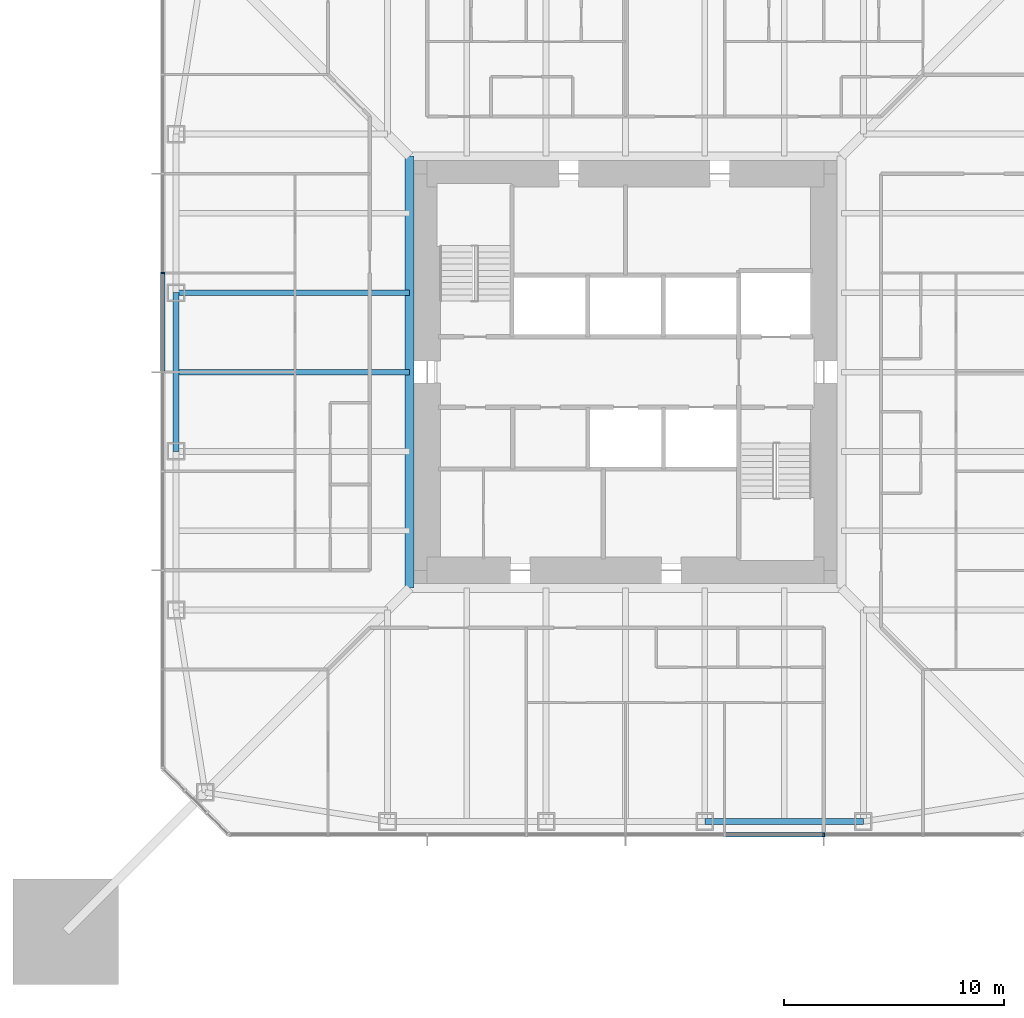
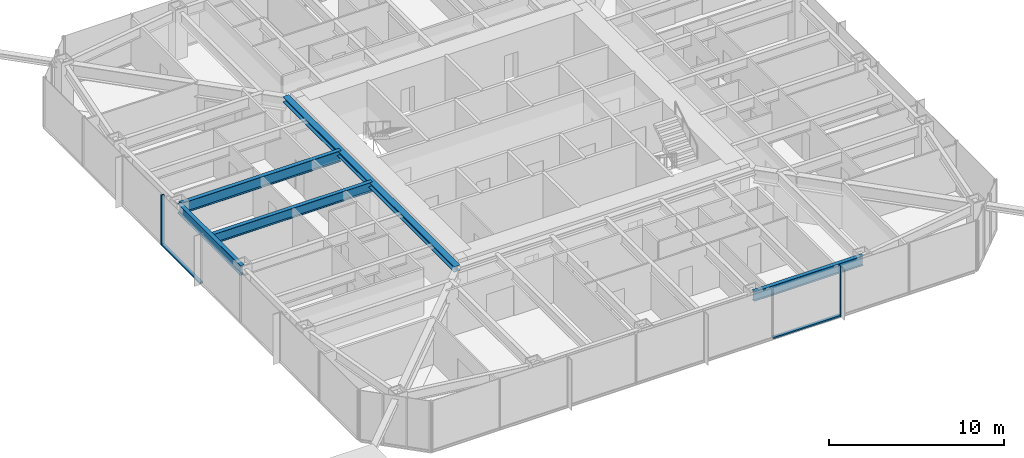
# One storey, part 4 of 25: 5 beams, 4 members, 2 elements without a shape of their own.
"""IFC4 building model written with IfcOpenShell, lengths in metres."""

from ifc_helpers import new_model, si_unit, direction, frame, origin, origin_2d, place, context, subcontext, project, spatial, rectangle, i_section, extrude, material, material_profile, profile_set, type_object, element, aggregate, save


model = new_model("IFC4")

# Units and contexts
model_context = context("Model", 3, precision=1e-05, world=origin(), true_north=direction((0.0, 1.0)))
body_context = subcontext(model_context, "Body", "Model", "MODEL_VIEW")
ifc_project = project(units=[si_unit("LENGTHUNIT", "METRE"), si_unit("AREAUNIT", "SQUARE_METRE"), si_unit("VOLUMEUNIT", "CUBIC_METRE"), si_unit("PLANEANGLEUNIT", "RADIAN"), si_unit("MASSUNIT", "GRAM", prefix="KILO")], contexts=[model_context])

# Site, building, storey
site_placement = place(None, origin())
site = spatial("IfcSite", under=ifc_project, at=site_placement, CompositionType="ELEMENT")
building_placement = place(site_placement, origin())
building = spatial("IfcBuilding", under=site, at=building_placement, Name="Iwan Alto Co-Living Towers", CompositionType="ELEMENT")
storey_placement = place(building_placement, frame((0.0, 0.0, 112.0)))
storey = spatial("IfcBuildingStorey", under=building, at=storey_placement, Name="L30", CompositionType="ELEMENT", Elevation=112.0)

# Curtain wall, member
ifc_material_1 = material(Name="Bronze aluminium unitised frame", Category="aluminium")
curtain_wall_type = type_object("IfcCurtainWallType", Name="CURTAIN WALL CW-A", PredefinedType="NOTDEFINED", material=ifc_material_1)
curtain_wall_1_placement = place(storey_placement, origin())
curtain_wall_1 = element("IfcCurtainWall", 1, at=curtain_wall_1_placement, inside=storey, type_object=curtain_wall_type, Name="T1 curtain wall S L30", PredefinedType="NOTDEFINED")
ifc_material_2 = material(Name="Aluminium 6063-T6 bronze anodised", Category="aluminium")
ifc_material_profile_1 = material_profile(ifc_material_2, rectangle(XDim=0.199951171875, YDim=0.080078125, at=origin_2d()), Name="AL 80X200")
ifc_profile_set_1 = profile_set([ifc_material_profile_1], Name="Aluminium 6063-T6 bronze anodised")
member_type_1 = type_object("IfcMemberType", Name="CW-A MULLION 80X200", PredefinedType="MULLION", material=ifc_profile_set_1)
member_1_placement = place(storey_placement, frame((9.0, -21.0, 0.0), z_axis=(0.0, 0.0, 1.0), x_axis=(0.0, 1.0, 0.0)))
member_1 = element("IfcMember", 2, at=member_1_placement, type_object=member_type_1, Name="CW-A mullion 7", PredefinedType="MULLION", context=body_context, shape_type="SweptSolid", body=[
    extrude(rectangle(XDim=0.199951171875, YDim=0.080078125, at=origin_2d()), origin(), (0.0, 0.0, 1.0), 3.5),
])

curtain_wall_2_placement = place(storey_placement, origin())
curtain_wall_2 = element("IfcCurtainWall", 3, at=curtain_wall_2_placement, inside=storey, type_object=curtain_wall_type, Name="T1 curtain wall W L30", PredefinedType="NOTDEFINED")
member_2_placement = place(storey_placement, frame((-21.0, 4.5, 0.0), z_axis=(0.0, 0.0, 1.0), x_axis=(1.0, 0.0, 0.0)))
member_2 = element("IfcMember", 4, at=member_2_placement, type_object=member_type_1, Name="CW-A mullion 4", PredefinedType="MULLION", context=body_context, shape_type="SweptSolid", body=[
    extrude(rectangle(XDim=0.199951171875, YDim=0.080078125, at=origin_2d()), origin(), (0.0, 0.0, 1.0), 3.5),
])

# Member
ifc_material_3 = material(Name="Aluminium 6063-T6 bronze anodised", Category="aluminium")
ifc_material_profile_2 = material_profile(ifc_material_3, rectangle(XDim=0.199951171875, YDim=0.10009765625, at=origin_2d()), Name="AL 200X100")
ifc_profile_set_2 = profile_set([ifc_material_profile_2], Name="Aluminium 6063-T6 bronze anodised")
member_type_2 = type_object("IfcMemberType", Name="CW-A TRANSOM 200X100", PredefinedType="USERDEFINED", material=ifc_profile_set_2)
member_3_placement = place(storey_placement, frame((4.5400390625, -21.0, 0.050048828125), z_axis=(1.0, 0.0, 0.0), x_axis=(0.0, 1.0, 0.0)))
member_3 = element("IfcMember", 5, at=member_3_placement, type_object=member_type_2, Name="CW-A transom 6.1", ObjectType="TRANSOM", PredefinedType="USERDEFINED", context=body_context, shape_type="SweptSolid", body=[
    extrude(rectangle(XDim=0.199951171875, YDim=0.10009765625, at=origin_2d()), origin(), (0.0, 0.0, 1.0), 4.419921875),
])

aggregate(curtain_wall_1, [member_1, member_3])

member_4_placement = place(storey_placement, frame((-21.0, 4.4599609375, 0.050048828125), z_axis=(0.0, -1.0, 0.0), x_axis=(1.0, 0.0, 0.0)))
member_4 = element("IfcMember", 6, at=member_4_placement, type_object=member_type_2, Name="CW-A transom 4.1", ObjectType="TRANSOM", PredefinedType="USERDEFINED", context=body_context, shape_type="SweptSolid", body=[
    extrude(rectangle(XDim=0.199951171875, YDim=0.10009765625, at=origin_2d()), origin(), (0.0, 0.0, 1.0), 4.419921875),
])

aggregate(curtain_wall_2, [member_2, member_4])

# Beams
ifc_material_4 = material(Name="Steel ASTM A992 Gr 50", Category="steel")
ifc_material_profile_3 = material_profile(ifc_material_4, i_section(OverallWidth=0.398681640625, OverallDepth=0.385986328125, WebThickness=0.02099609375, FlangeThickness=0.033203125, at=origin_2d()), Name="W14X176")
ifc_profile_set_3 = profile_set([ifc_material_profile_3], Name="Steel ASTM A992 Gr 50")
beam_type_1 = type_object("IfcBeamType", Name="T1 CORE LEDGER BEAM W14X176", PredefinedType="BEAM", material=ifc_profile_set_3)
beam_1_placement = place(storey_placement, frame((-9.79931640625, 9.79931640625, 3.076904296875), z_axis=(0.0, -1.0, 0.0), x_axis=(1.0, 0.0, 0.0)))
element("IfcBeam", 7, at=beam_1_placement, inside=storey, type_object=beam_type_1, Name="T1 core ledger beam W L31", PredefinedType="BEAM", context=body_context, shape_type="SweptSolid", body=[
    extrude(i_section(OverallWidth=0.398681640625, OverallDepth=0.385986328125, WebThickness=0.02099609375, FlangeThickness=0.033203125, at=origin_2d()), origin(), (0.0, 0.0, 1.0), 19.5986328125),
])
ifc_material_5 = material(Name="Steel ASTM A992 Gr 50", Category="steel")
ifc_material_profile_4 = material_profile(ifc_material_5, i_section(OverallWidth=0.25390625, OverallDepth=0.683349609375, WebThickness=0.012451171875, FlangeThickness=0.018798828125, at=origin_2d()), Name="W27X94")
ifc_profile_set_4 = profile_set([ifc_material_profile_4], Name="Steel ASTM A992 Gr 50")
beam_type_2 = type_object("IfcBeamType", Name="T1 EDGE BEAM W27X94", PredefinedType="BEAM", material=ifc_profile_set_4)
beam_2_placement = place(storey_placement, frame((3.60009765625, -20.39990234375, 2.928466796875), z_axis=(1.0, 0.0, 0.0), x_axis=(0.0, 1.0, 0.0)))
element("IfcBeam", 8, at=beam_2_placement, inside=storey, type_object=beam_type_2, Name="T1 edge beam S3 L31", PredefinedType="BEAM", context=body_context, shape_type="SweptSolid", body=[
    extrude(i_section(OverallWidth=0.25390625, OverallDepth=0.683349609375, WebThickness=0.012451171875, FlangeThickness=0.018798828125, at=origin_2d()), origin(), (0.0, 0.0, 1.0), 7.199951171875),
])
beam_3_placement = place(storey_placement, frame((-20.39990234375, 3.60009765625, 2.928466796875), z_axis=(0.0, -1.0, 0.0), x_axis=(1.0, 0.0, 0.0)))
element("IfcBeam", 9, at=beam_3_placement, inside=storey, type_object=beam_type_2, Name="T1 edge beam W2 L31", PredefinedType="BEAM", context=body_context, shape_type="SweptSolid", body=[
    extrude(i_section(OverallWidth=0.25390625, OverallDepth=0.683349609375, WebThickness=0.012451171875, FlangeThickness=0.018798828125, at=origin_2d()), origin(), (0.0, 0.0, 1.0), 7.2001953125),
])
ifc_material_6 = material(Name="Steel ASTM A992 Gr 50", Category="steel")
ifc_material_profile_5 = material_profile(ifc_material_6, i_section(OverallWidth=0.2666015625, OverallDepth=0.761962890625, WebThickness=0.014404296875, FlangeThickness=0.021484375, at=origin_2d()), Name="W30X116")
ifc_profile_set_5 = profile_set([ifc_material_profile_5], Name="Steel ASTM A992 Gr 50")
beam_type_3 = type_object("IfcBeamType", Name="T1 RADIAL BEAM W30X116", PredefinedType="BEAM", material=ifc_profile_set_5)
beam_4_placement = place(storey_placement, frame((-20.39990234375, 3.60009765625, 2.888916015625), z_axis=(1.0, 0.0, 0.0), x_axis=(0.0, 1.0, 0.0)))
element("IfcBeam", 10, at=beam_4_placement, inside=storey, type_object=beam_type_3, Name="T1 radial beam W2 L31", PredefinedType="BEAM", context=body_context, shape_type="SweptSolid", body=[
    extrude(i_section(OverallWidth=0.2666015625, OverallDepth=0.761962890625, WebThickness=0.014404296875, FlangeThickness=0.021484375, at=origin_2d()), origin(), (0.0, 0.0, 1.0), 10.6005859375),
])
ifc_material_7 = material(Name="Steel ASTM A992 Gr 50", Category="steel")
ifc_material_profile_6 = material_profile(ifc_material_7, i_section(OverallWidth=0.25390625, OverallDepth=0.683349609375, WebThickness=0.012451171875, FlangeThickness=0.018798828125, at=origin_2d()), Name="W27X94")
ifc_profile_set_6 = profile_set([ifc_material_profile_6], Name="Steel ASTM A992 Gr 50")
beam_type_4 = type_object("IfcBeamType", Name="T1 SECONDARY BEAM W27X94", PredefinedType="JOIST", material=ifc_profile_set_6)
beam_5_placement = place(storey_placement, frame((-20.39990234375, 0.0, 2.928466796875), z_axis=(1.0, 0.0, 0.0), x_axis=(0.0, 1.0, 0.0)))
element("IfcBeam", 11, at=beam_5_placement, inside=storey, type_object=beam_type_4, Name="T1 secondary beam W2 L31", PredefinedType="JOIST", context=body_context, shape_type="SweptSolid", body=[
    extrude(i_section(OverallWidth=0.25390625, OverallDepth=0.683349609375, WebThickness=0.012451171875, FlangeThickness=0.018798828125, at=origin_2d()), origin(), (0.0, 0.0, 1.0), 10.6005859375),
])

save(model, "model.ifc")
